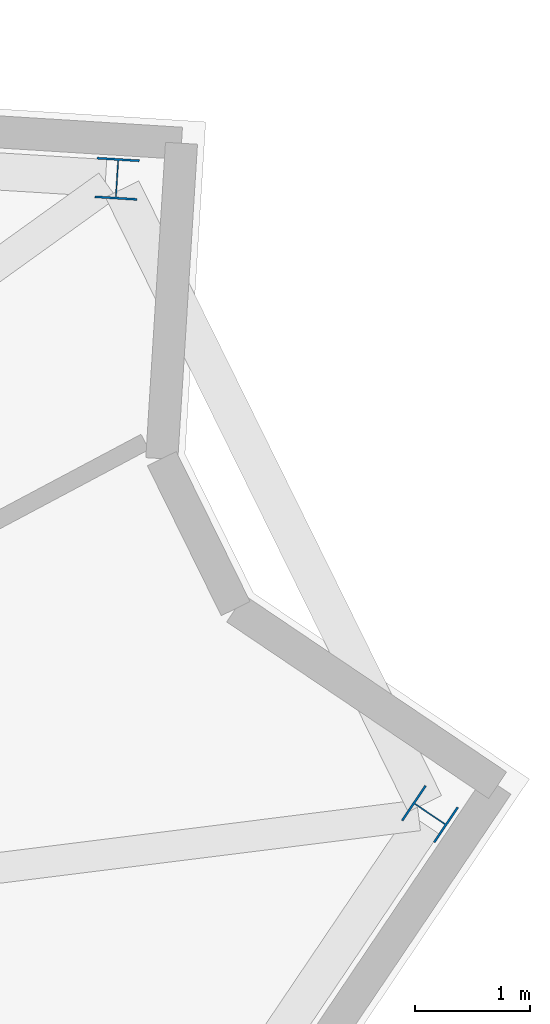
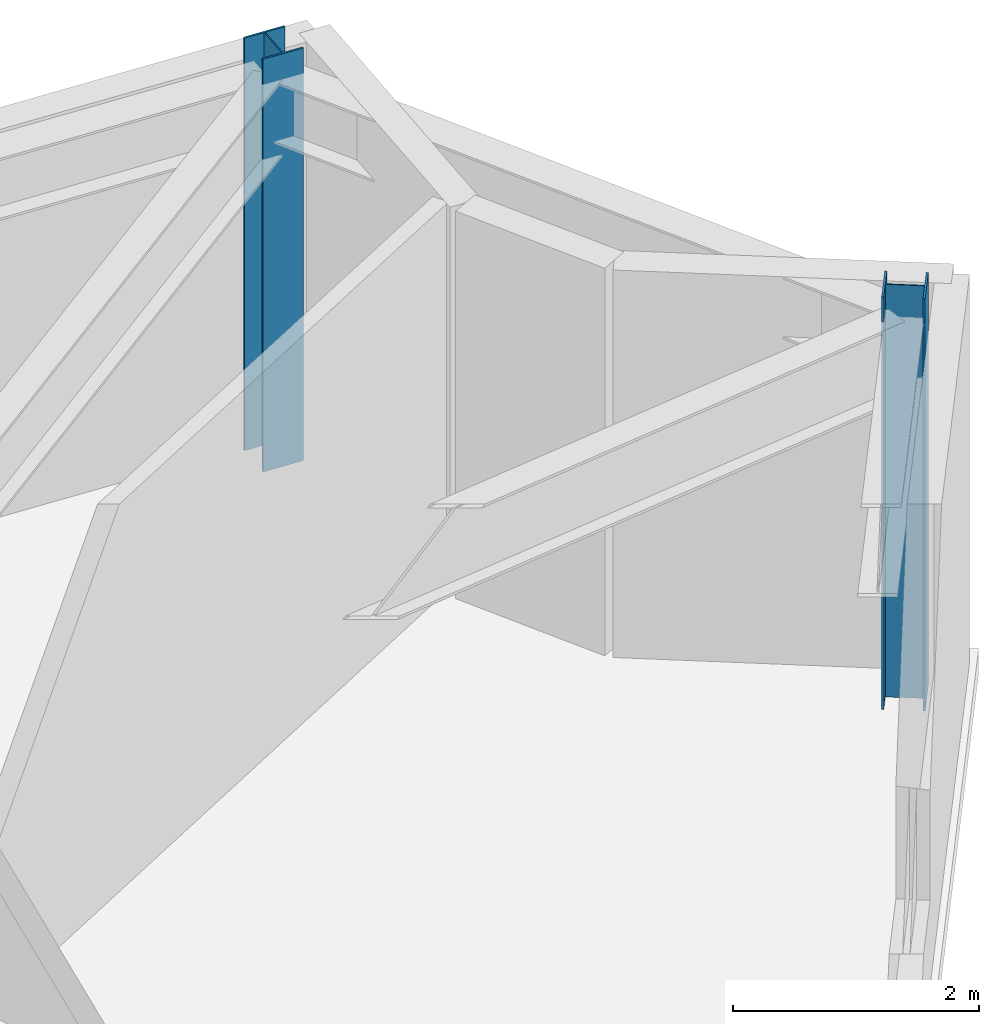
# One storey, part 3 of 10: 2 columns.
"""IFC4 building model written with IfcOpenShell, lengths in metres."""

from ifc_helpers import new_model, si_unit, direction, frame, origin, origin_2d, place, context, subcontext, project, spatial, i_section, extrude, material, material_profile, profile_set, type_object, element, save


model = new_model("IFC4")

# Units and contexts
model_context = context("Model", 3, precision=1e-05, world=origin(), true_north=direction((0.0, 1.0)))
body_context = subcontext(model_context, "Body", "Model", "MODEL_VIEW")
ifc_project = project(units=[si_unit("LENGTHUNIT", "METRE"), si_unit("AREAUNIT", "SQUARE_METRE"), si_unit("VOLUMEUNIT", "CUBIC_METRE"), si_unit("PLANEANGLEUNIT", "RADIAN"), si_unit("MASSUNIT", "GRAM", prefix="KILO")], contexts=[model_context])

# Site, building, storey
site_placement = place(None, origin())
site = spatial("IfcSite", under=ifc_project, at=site_placement, CompositionType="ELEMENT")
building_placement = place(site_placement, origin())
building = spatial("IfcBuilding", under=site, at=building_placement, Name="Apsidion Concourse Tower", CompositionType="ELEMENT")
storey_placement = place(building_placement, frame((0.0, 0.0, 302.39990234375)))
storey = spatial("IfcBuildingStorey", under=building, at=storey_placement, Name="L71", CompositionType="ELEMENT", Elevation=302.39990234375)

# Columns
ifc_material = material(Name="Structural steel ASTM A992 Grade 50", Category="steel")
ifc_material_profile = material_profile(ifc_material, i_section(OverallWidth=0.367919921875, OverallDepth=0.35595703125, WebThickness=0.01123046875, FlangeThickness=0.01806640625, at=origin_2d()), Name="W14X90")
ifc_profile_set = profile_set([ifc_material_profile], Name="Structural steel ASTM A992 Grade 50")
column_type = type_object("IfcColumnType", Name="COL-W14-90", PredefinedType="COLUMN", material=ifc_profile_set)
for number, where, z_axis, x_axis, name in (
    (1, (25.208984375, 8.83251953125, 0.0), (0.0, 0.0, 1.0), (0.559192903471, 0.829037572555, 0.0), "L71 Rotated Perimeter Column PC08"),
    (2, (22.47705078125, 14.378662109375, 0.0), (0.0, 0.0, 1.0), (-0.998081143466, 0.061919553109, 0.0), "L71 Rotated Perimeter Column PC09"),
):
    element("IfcColumn", number, at=place(storey_placement, frame(where, z_axis=z_axis, x_axis=x_axis)), inside=storey, type_object=column_type, Name=name, PredefinedType="COLUMN", context=body_context, shape_type="SweptSolid", body=[
        extrude(i_section(OverallWidth=0.367919921875, OverallDepth=0.35595703125, WebThickness=0.01123046875, FlangeThickness=0.01806640625, at=origin_2d()), origin(), (0.0, 0.0, 1.0), 4.10009765625),
    ])

save(model, "model.ifc")
